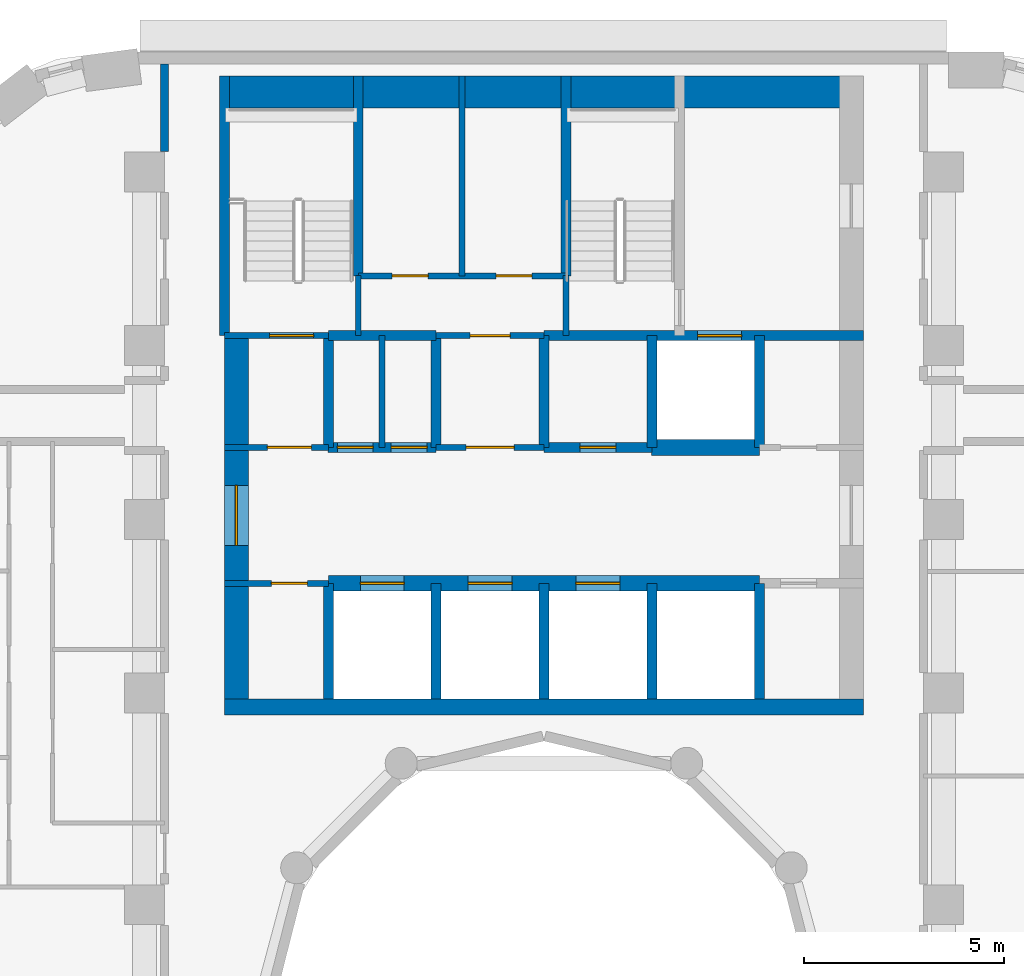
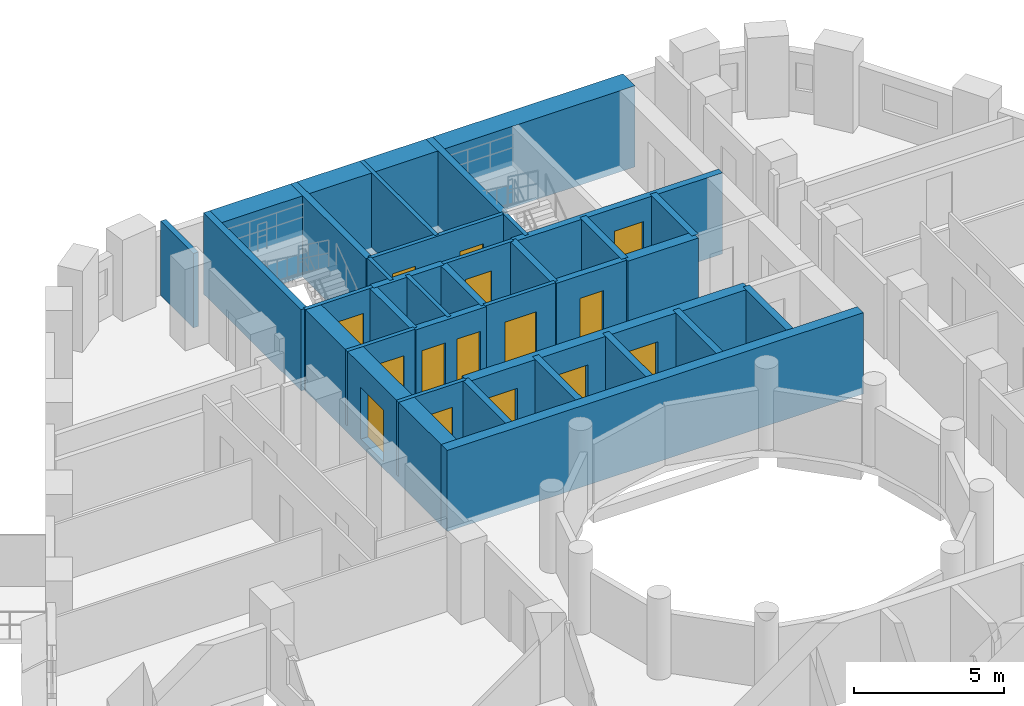
# One storey, part 7 of 14: 33 walls, 15 doors, 15 openings.
"""IFC4 building model written with IfcOpenShell, lengths in metres."""

import ifcopenshell
import ifcopenshell.guid

model = None  # the IFC model being written
_history = None  # IfcOwnerHistory: only IFC2X3 demands one
_inside = {}  # id of a spatial element -> (the spatial element, [elements in it])
_under = {}  # id of a project, library or spatial element -> (it, [spatial elements below it])
_declared = {}  # id of a project -> (the project, [libraries it declares])
_typed = {}  # id of a type object -> (the type object, [elements of that type])
_made_of = {}  # id of a material, layer set ... -> (it, [elements and type objects made of it])


def new_model(schema):
    """Start an empty IFC model of exactly this schema.

    Asked for "IFC4X3", IfcOpenShell would pick the latest addendum, in which some entities
    have other attributes; the version numbers below select the first issue.
    IFC2X3 requires an IfcOwnerHistory on every rooted entity: one is made here for all.
    """
    global model, _history
    if schema == "IFC4X3":
        model = ifcopenshell.file(schema_version=(4, 3, 0, 0))
    else:
        model = ifcopenshell.file(schema=schema)
    _inside.clear()
    _under.clear()
    _declared.clear()
    _typed.clear()
    _made_of.clear()
    _history = None
    if model.schema == "IFC2X3":
        org = make("IfcOrganization", Name="unknown")
        user = make(
            "IfcPersonAndOrganization",
            ThePerson=make("IfcPerson", FamilyName="unknown"),
            TheOrganization=org,
        )
        app = make(
            "IfcApplication",
            ApplicationDeveloper=org,
            Version="unknown",
            ApplicationFullName="unknown",
            ApplicationIdentifier="unknown",
        )
        _history = make(
            "IfcOwnerHistory",
            OwningUser=user,
            OwningApplication=app,
            ChangeAction="ADDED",
            CreationDate=0,
        )
    return model


def make(cls, **values):
    """One entity of the class cls with the attributes given. An attribute that is None is left unset."""
    return model.create_entity(
        cls, **{name: value for name, value in values.items() if value is not None}
    )


def rooted(cls, **values):
    """An entity with a GlobalId (a new one), such as an element, a storey or a relation."""
    return make(cls, GlobalId=ifcopenshell.guid.new(), OwnerHistory=_history, **values)


def si_unit(unit_type, name, prefix=None):
    """IfcSIUnit, for example si_unit("LENGTHUNIT", "METRE", prefix="MILLI")."""
    return make("IfcSIUnit", UnitType=unit_type, Prefix=prefix, Name=name)


def assignment(units):
    """IfcUnitAssignment: the units of a project."""
    return None if units is None else make("IfcUnitAssignment", Units=units)


def point(xyz):
    """IfcCartesianPoint."""
    return None if xyz is None else make("IfcCartesianPoint", Coordinates=xyz)


def direction(xyz):
    """IfcDirection."""
    return None if xyz is None else make("IfcDirection", DirectionRatios=xyz)


def frame(location, z_axis=None, x_axis=None):
    """IfcAxis2Placement3D, a coordinate frame: its origin and axes. An axis left out is left unset."""
    return make(
        "IfcAxis2Placement3D",
        Location=point(location),
        Axis=direction(z_axis),
        RefDirection=direction(x_axis),
    )


def frame_2d(location, x_axis=None):
    """IfcAxis2Placement2D, a coordinate frame in the plane: its origin and x axis."""
    return make(
        "IfcAxis2Placement2D", Location=point(location), RefDirection=direction(x_axis)
    )


def origin():
    """The frame at (0, 0, 0) with its axes left unset."""
    return frame((0.0, 0.0, 0.0))


def place(relative_to, where):
    """IfcLocalPlacement: puts the frame where relative to a parent placement (None: the world)."""
    return make(
        "IfcLocalPlacement", PlacementRelTo=relative_to, RelativePlacement=where
    )


def context(
    kind, dimensions, precision=None, world=None, true_north=None, identifier=None
):
    """IfcGeometricRepresentationContext, for example the 3D "Model" context."""
    return make(
        "IfcGeometricRepresentationContext",
        ContextIdentifier=identifier,
        ContextType=kind,
        CoordinateSpaceDimension=dimensions,
        Precision=precision,
        WorldCoordinateSystem=world,
        TrueNorth=true_north,
    )


def subcontext(parent, identifier, kind, view, scale=None):
    """IfcGeometricRepresentationSubContext, for example "Body" below "Model"."""
    return make(
        "IfcGeometricRepresentationSubContext",
        ContextIdentifier=identifier,
        ContextType=kind,
        ParentContext=parent,
        TargetScale=scale,
        TargetView=view,
    )


def project(units=None, contexts=None):
    """IfcProject with its units and contexts."""
    return rooted(
        "IfcProject",
        Name="project",
        RepresentationContexts=contexts,
        UnitsInContext=assignment(units),
    )


def spatial(cls, under=None, at=None, **own):
    """A site, building, storey or space (cls), placed at a placement, below another one or the project."""
    s = rooted(cls, ObjectPlacement=at, **own)
    if under is not None:
        _under.setdefault(under.id(), (under, []))[1].append(s)
    return s


def profile(cls, at=None, kind="AREA", **sizes):
    """A parametric profile (cls). Its sizes go by their IFC names, for example OverallWidth=200.0."""
    return make(cls, ProfileType=kind, Position=at, **sizes)


def rectangle(**sizes):
    """IfcRectangleProfileDef."""
    return profile("IfcRectangleProfileDef", **sizes)


def extrude(swept, where, along, depth):
    """IfcExtrudedAreaSolid: the profile swept, set in the frame where, extruded along a direction by depth."""
    return make(
        "IfcExtrudedAreaSolid",
        SweptArea=swept,
        Position=where,
        ExtrudedDirection=direction(along),
        Depth=depth,
    )


def shape(context_of_items, identifier, shape_type, items):
    """IfcShapeRepresentation: the items that make up one representation, for example the "Body"."""
    return make(
        "IfcShapeRepresentation",
        ContextOfItems=context_of_items,
        RepresentationIdentifier=identifier,
        RepresentationType=shape_type,
        Items=items,
    )


def material(Name=None, Category=None):
    """IfcMaterial."""
    return make("IfcMaterial", Name=Name, Category=Category)


def layer(
    of_material, thickness, ventilated=None, Name=None, Category=None, Priority=None
):
    """IfcMaterialLayer: one layer of a wall or slab, of a material (None: an air gap)."""
    return make(
        "IfcMaterialLayer",
        Material=of_material,
        LayerThickness=thickness,
        IsVentilated=ventilated,
        Name=Name,
        Category=Category,
        Priority=Priority,
    )


def layer_set(layers, Name=None):
    """IfcMaterialLayerSet."""
    return make("IfcMaterialLayerSet", MaterialLayers=layers, LayerSetName=Name)


def made_of(thing, what):
    """Note that an element or type object is made of a material, layer set ...; save() writes the relation."""
    if what is not None:
        _made_of.setdefault(what.id(), (what, []))[1].append(thing)
    return thing


def type_object(cls, material=None, **own):
    """A type object (cls), such as IfcWallType, which elements share."""
    return made_of(rooted(cls, **own), material)


def element(
    cls,
    number,
    at=None,
    inside=None,
    cuts=None,
    type_object=None,
    material=None,
    context=None,
    identifier="Body",
    shape_type=None,
    held_by="IfcProductDefinitionShape",
    body=None,
    shapes=None,
    **own,
):
    """One element of the class cls, such as IfcWall. Its Tag is "e" and its number.

    at: its placement. inside: the storey or other place that contains it. cuts: it is an
    opening in that element (IfcRelVoidsElement). A single representation is given by context,
    identifier, shape_type and body (its items); several are given by shapes. held_by: the class
    of the entity that holds the representations. save() writes the other relations.
    """
    e = rooted(cls, Tag="e%d" % number, ObjectPlacement=at, **own)
    if body is not None:
        shapes = [shape(context, identifier, shape_type, body)]
    if shapes is not None:
        e.Representation = make(held_by, Representations=shapes)
    if inside is not None:
        _inside.setdefault(inside.id(), (inside, []))[1].append(e)
    if cuts is not None:
        rooted(
            "IfcRelVoidsElement", RelatingBuildingElement=cuts, RelatedOpeningElement=e
        )
    if type_object is not None:
        _typed.setdefault(type_object.id(), (type_object, []))[1].append(e)
    return made_of(e, material)


def fill(opening, filler):
    """IfcRelFillsElement: the door or window that sits in an opening."""
    return rooted(
        "IfcRelFillsElement",
        RelatingOpeningElement=opening,
        RelatedBuildingElement=filler,
    )


def aggregate(whole, parts):
    """IfcRelAggregates: a whole, such as a stair, and the parts it consists of."""
    return rooted("IfcRelAggregates", RelatingObject=whole, RelatedObjects=parts)


def save(model, path):
    """Write the relations noted so far, then the file.

    IfcRelAggregates (storeys below a building ...), IfcRelContainedInSpatialStructure (elements
    in a storey), IfcRelDefinesByType, IfcRelAssociatesMaterial and IfcRelDeclares: one each for
    every whole, place, type object, material and project.
    """
    for whole, parts in _under.values():
        aggregate(whole, parts)
    for where, things in _inside.values():
        rooted(
            "IfcRelContainedInSpatialStructure",
            RelatedElements=things,
            RelatingStructure=where,
        )
    for kind, things in _typed.values():
        rooted("IfcRelDefinesByType", RelatedObjects=things, RelatingType=kind)
    for what, things in _made_of.values():
        rooted("IfcRelAssociatesMaterial", RelatedObjects=things, RelatingMaterial=what)
    for by, libraries in _declared.values():
        rooted("IfcRelDeclares", RelatingContext=by, RelatedDefinitions=libraries)
    model.write(path)


model = new_model("IFC4")

# Units and contexts
model_context = context("Model", 3, precision=1e-05, world=origin(), true_north=direction((0.0, 1.0)))
body_context = subcontext(model_context, "Body", "Model", "MODEL_VIEW")
ifc_project = project(units=[si_unit("LENGTHUNIT", "METRE"), si_unit("AREAUNIT", "SQUARE_METRE"), si_unit("VOLUMEUNIT", "CUBIC_METRE"), si_unit("PLANEANGLEUNIT", "RADIAN"), si_unit("MASSUNIT", "GRAM", prefix="KILO")], contexts=[model_context])

# Site, building, storey
site_placement = place(None, origin())
site = spatial("IfcSite", under=ifc_project, at=site_placement, CompositionType="ELEMENT")
building_placement = place(site_placement, origin())
building = spatial("IfcBuilding", under=site, at=building_placement, Name="Nakaniwa Court", CompositionType="ELEMENT")
storey_placement = place(building_placement, frame((0.0, 0.0, 114.0)))
storey = spatial("IfcBuildingStorey", under=building, at=storey_placement, Name="L30", CompositionType="ELEMENT", Elevation=114.0)

# Wall
ifc_material_1 = material(Name="Acoustic double stud partition")
ifc_layer_1 = layer(ifc_material_1, 0.199951171875)
ifc_layer_set_1 = layer_set([ifc_layer_1], Name="Acoustic double stud partition")
wall_type_1 = type_object("IfcWallType", Name="Acoustic double stud partition 200", PredefinedType="PARTITIONING", material=ifc_layer_set_1)
wall_1_placement = place(storey_placement, frame((70.5, 101.51708984375, 0.0), z_axis=(0.0, 0.0, 1.0), x_axis=(0.0, 1.0, 0.0)))
element("IfcWall", 1, at=wall_1_placement, inside=storey, type_object=wall_type_1, Name="Partition PW-110", PredefinedType="PARTITIONING", context=body_context, shape_type="SweptSolid", body=[
    extrude(rectangle(XDim=2.182861328125, YDim=0.199951171875, at=frame_2d((1.09130859375, 0.0))), origin(), (0.0, 0.0, 1.0), 3.02490234375),
])

# Wall, opening, door
ifc_material_2 = material(Name="Blockwork partition", Category="masonry")
ifc_layer_2 = layer(ifc_material_2, 0.14990234375)
ifc_layer_set_2 = layer_set([ifc_layer_2], Name="Blockwork partition")
wall_type_2 = type_object("IfcWallType", Name="Blockwork partition 150", PredefinedType="PARTITIONING", material=ifc_layer_set_2)
wall_2_placement = place(storey_placement, frame((74.60009765625, 90.699951171875, 0.0), z_axis=(0.0, 0.0, 1.0), x_axis=(-1.0, 0.0, 0.0)))
wall_2 = element("IfcWall", 2, at=wall_2_placement, inside=storey, type_object=wall_type_2, Name="Partition PW-003", PredefinedType="PARTITIONING", context=body_context, shape_type="SweptSolid", body=[
    extrude(rectangle(XDim=2.60009765625, YDim=0.14990234375, at=frame_2d((1.300048828125, 0.0))), origin(), (0.0, 0.0, 1.0), 3.02490234375),
])
opening_1_placement = place(wall_2_placement, frame((0.52490234375, 0.0, 0.0)))
opening_1 = element("IfcOpeningElement", 3, at=opening_1_placement, cuts=wall_2, Name="Opening D-05-01", PredefinedType="OPENING", context=body_context, shape_type="SweptSolid", body=[
    extrude(rectangle(XDim=0.89990234375, YDim=2.10009765625, at=frame_2d((0.449951171875, 1.050048828125))), frame((0.0, 0.0849609375, 0.0), z_axis=(0.0, -1.0, 0.0), x_axis=(1.0, 0.0, 0.0)), (0.0, 0.0, 1.0), 0.169921875),
])
ifc_material_3 = material(Name="Fire rated steel door set", Category="steel")
door_type_1 = type_object("IfcDoorType", Name="Service room door 900", OperationType="NOTDEFINED", PredefinedType="DOOR", material=ifc_material_3)
door_1_placement = place(opening_1_placement, origin())
door_1 = element("IfcDoor", 4, at=door_1_placement, inside=storey, type_object=door_type_1, Name="Door D-05-01 L30-001", OperationType="SINGLE_SWING_RIGHT", OverallHeight=2.10009765625, OverallWidth=0.89990234375, PredefinedType="DOOR", context=body_context, shape_type="SweptSolid", body=[
    extrude(rectangle(XDim=0.89990234375, YDim=2.10009765625, at=frame_2d((0.449951171875, 1.050048828125))), frame((0.0, 0.02490234375, 0.0), z_axis=(0.0, -1.0, 0.0), x_axis=(1.0, 0.0, 0.0)), (0.0, 0.0, 1.0), 0.050048828125),
])
fill(opening_1, door_1)

wall_3_placement = place(storey_placement, frame((72.0, 94.10009765625, 0.0), z_axis=(0.0, 0.0, 1.0), x_axis=(1.0, 0.0, 0.0)))
wall_3 = element("IfcWall", 5, at=wall_3_placement, inside=storey, type_object=wall_type_2, Name="Partition PW-016", PredefinedType="PARTITIONING", context=body_context, shape_type="SweptSolid", body=[
    extrude(rectangle(XDim=2.60302734375, YDim=0.14990234375, at=frame_2d((1.301513671875, 0.0))), origin(), (0.0, 0.0, 1.0), 3.02490234375),
])
opening_2_placement = place(wall_3_placement, frame((1.074951171875, 0.0, 0.0)))
opening_2 = element("IfcOpeningElement", 6, at=opening_2_placement, cuts=wall_3, Name="Opening D-08-01", PredefinedType="OPENING", context=body_context, shape_type="SweptSolid", body=[
    extrude(rectangle(XDim=1.10009765625, YDim=2.10009765625, at=frame_2d((0.550048828125, 1.050048828125))), frame((0.0, 0.0849609375, 0.0), z_axis=(0.0, -1.0, 0.0), x_axis=(1.0, 0.0, 0.0)), (0.0, 0.0, 1.0), 0.169921875),
])
door_type_2 = type_object("IfcDoorType", Name="Stair lobby door 1100", OperationType="NOTDEFINED", PredefinedType="DOOR", material=ifc_material_3)
door_2_placement = place(opening_2_placement, origin())
door_2 = element("IfcDoor", 7, at=door_2_placement, inside=storey, type_object=door_type_2, Name="Door D-08-01 L30-003", OperationType="SINGLE_SWING_RIGHT", OverallHeight=2.10009765625, OverallWidth=1.10009765625, PredefinedType="DOOR", context=body_context, shape_type="SweptSolid", body=[
    extrude(rectangle(XDim=1.10009765625, YDim=2.10009765625, at=frame_2d((0.550048828125, 1.050048828125))), frame((0.0, 0.02490234375, 0.0), z_axis=(0.0, -1.0, 0.0), x_axis=(1.0, 0.0, 0.0)), (0.0, 0.0, 1.0), 0.050048828125),
])
fill(opening_2, door_2)

wall_4_placement = place(storey_placement, frame((77.297119140625, 94.10009765625, 0.0), z_axis=(0.0, 0.0, 1.0), x_axis=(1.0, 0.0, 0.0)))
wall_4 = element("IfcWall", 8, at=wall_4_placement, inside=storey, type_object=wall_type_2, Name="Partition PW-017", PredefinedType="PARTITIONING", context=body_context, shape_type="SweptSolid", body=[
    extrude(rectangle(XDim=2.705810546875, YDim=0.14990234375, at=frame_2d((1.35302734375, 0.0))), origin(), (0.0, 0.0, 1.0), 3.02490234375),
])
opening_3_placement = place(wall_4_placement, frame((0.7529296875, 0.0, 0.0)))
opening_3 = element("IfcOpeningElement", 9, at=opening_3_placement, cuts=wall_4, Name="Opening D-06-01", PredefinedType="OPENING", context=body_context, shape_type="SweptSolid", body=[
    extrude(rectangle(XDim=1.199951171875, YDim=2.10009765625, at=frame_2d((0.60009765625, 1.050048828125))), frame((0.0, 0.0849609375, 0.0), z_axis=(0.0, -1.0, 0.0), x_axis=(1.0, 0.0, 0.0)), (0.0, 0.0, 1.0), 0.169921875),
])
ifc_material_4 = material(Name="Fire rated steel double door set", Category="steel")
door_type_3 = type_object("IfcDoorType", Name="Service passage double door 1200", OperationType="NOTDEFINED", PredefinedType="DOOR", material=ifc_material_4)
door_3_placement = place(opening_3_placement, origin())
door_3 = element("IfcDoor", 10, at=door_3_placement, inside=storey, type_object=door_type_3, Name="Door D-06-01 L30-006", OperationType="DOUBLE_DOOR_SINGLE_SWING", OverallHeight=2.10009765625, OverallWidth=1.199951171875, PredefinedType="DOOR", context=body_context, shape_type="SweptSolid", body=[
    extrude(rectangle(XDim=1.199951171875, YDim=2.10009765625, at=frame_2d((0.60009765625, 1.050048828125))), frame((0.0, 0.02490234375, 0.0), z_axis=(0.0, -1.0, 0.0), x_axis=(1.0, 0.0, 0.0)), (0.0, 0.0, 1.0), 0.050048828125),
])
fill(opening_3, door_3)

# Wall
wall_5_placement = place(storey_placement, frame((75.949951171875, 94.10009765625, 0.0), z_axis=(0.0, 0.0, 1.0), x_axis=(0.0, 1.0, 0.0)))
element("IfcWall", 11, at=wall_5_placement, inside=storey, type_object=wall_type_2, Name="Partition PW-023", PredefinedType="PARTITIONING", context=body_context, shape_type="SweptSolid", body=[
    extrude(rectangle(XDim=2.7998046875, YDim=0.14990234375, at=frame_2d((1.39990234375, 0.0))), origin(), (0.0, 0.0, 1.0), 3.02490234375),
])

# Wall, opening, door
wall_6_placement = place(storey_placement, frame((77.300048828125, 96.89990234375, 0.0), z_axis=(0.0, 0.0, 1.0), x_axis=(1.0, 0.0, 0.0)))
wall_6 = element("IfcWall", 12, at=wall_6_placement, inside=storey, type_object=wall_type_2, Name="Partition PW-026", PredefinedType="PARTITIONING", context=body_context, shape_type="SweptSolid", body=[
    extrude(rectangle(XDim=2.699951171875, YDim=0.14990234375, at=frame_2d((1.35009765625, 0.0))), origin(), (0.0, 0.0, 1.0), 3.02490234375),
])
opening_4_placement = place(wall_6_placement, frame((0.85009765625, 0.0, 0.0)))
opening_4 = element("IfcOpeningElement", 13, at=opening_4_placement, cuts=wall_6, Name="Opening D-23-01", PredefinedType="OPENING", context=body_context, shape_type="SweptSolid", body=[
    extrude(rectangle(XDim=1.0, YDim=2.10009765625, at=frame_2d((0.5, 1.050048828125))), frame((0.0, 0.0849609375, 0.0), z_axis=(0.0, -1.0, 0.0), x_axis=(1.0, 0.0, 0.0)), (0.0, 0.0, 1.0), 0.169921875),
])
door_type_4 = type_object("IfcDoorType", Name="Service room door 1000", OperationType="NOTDEFINED", PredefinedType="DOOR", material=ifc_material_3)
door_4_placement = place(opening_4_placement, origin())
door_4 = element("IfcDoor", 14, at=door_4_placement, inside=storey, type_object=door_type_4, Name="Door D-23-01 L30-009", OperationType="SINGLE_SWING_RIGHT", OverallHeight=2.10009765625, OverallWidth=1.0, PredefinedType="DOOR", context=body_context, shape_type="SweptSolid", body=[
    extrude(rectangle(XDim=1.0, YDim=2.10009765625, at=frame_2d((0.5, 1.050048828125))), frame((0.0, 0.02490234375, 0.0), z_axis=(0.0, -1.0, 0.0), x_axis=(1.0, 0.0, 0.0)), (0.0, 0.0, 1.0), 0.050048828125),
])
fill(opening_4, door_4)

# Wall, openings, doors
wall_7_placement = place(storey_placement, frame((75.35009765625, 98.39990234375, 0.0), z_axis=(0.0, 0.0, 1.0), x_axis=(1.0, 0.0, 0.0)))
wall_7 = element("IfcWall", 15, at=wall_7_placement, inside=storey, type_object=wall_type_2, Name="Partition PW-033", PredefinedType="PARTITIONING", context=body_context, shape_type="SweptSolid", body=[
    extrude(rectangle(XDim=5.199951171875, YDim=0.14990234375, at=frame_2d((2.60009765625, 0.0))), origin(), (0.0, 0.0, 1.0), 3.02490234375),
])
opening_5_placement = place(wall_7_placement, frame((0.85009765625, 0.0, 0.0)))
opening_5 = element("IfcOpeningElement", 16, at=opening_5_placement, cuts=wall_7, Name="Opening D-05-07", PredefinedType="OPENING", context=body_context, shape_type="SweptSolid", body=[
    extrude(rectangle(XDim=0.89990234375, YDim=2.10009765625, at=frame_2d((0.449951171875, 1.050048828125))), frame((0.0, 0.0849609375, 0.0), z_axis=(0.0, -1.0, 0.0), x_axis=(1.0, 0.0, 0.0)), (0.0, 0.0, 1.0), 0.169921875),
])
opening_6_placement = place(wall_7_placement, frame((3.449951171875, 0.0, 0.0)))
opening_6 = element("IfcOpeningElement", 17, at=opening_6_placement, cuts=wall_7, Name="Opening D-05-08", PredefinedType="OPENING", context=body_context, shape_type="SweptSolid", body=[
    extrude(rectangle(XDim=0.89990234375, YDim=2.10009765625, at=frame_2d((0.449951171875, 1.050048828125))), frame((0.0, 0.0849609375, 0.0), z_axis=(0.0, -1.0, 0.0), x_axis=(1.0, 0.0, 0.0)), (0.0, 0.0, 1.0), 0.169921875),
])
door_5_placement = place(opening_5_placement, origin())
door_5 = element("IfcDoor", 18, at=door_5_placement, inside=storey, type_object=door_type_1, Name="Door D-05-07 L30-010", OperationType="SINGLE_SWING_LEFT", OverallHeight=2.10009765625, OverallWidth=0.89990234375, PredefinedType="DOOR", context=body_context, shape_type="SweptSolid", body=[
    extrude(rectangle(XDim=0.89990234375, YDim=2.10009765625, at=frame_2d((0.449951171875, 1.050048828125))), frame((0.0, 0.02490234375, 0.0), z_axis=(0.0, -1.0, 0.0), x_axis=(1.0, 0.0, 0.0)), (0.0, 0.0, 1.0), 0.050048828125),
])
fill(opening_5, door_5)
door_6_placement = place(opening_6_placement, origin())
door_6 = element("IfcDoor", 19, at=door_6_placement, inside=storey, type_object=door_type_1, Name="Door D-05-08 L30-011", OperationType="SINGLE_SWING_RIGHT", OverallHeight=2.10009765625, OverallWidth=0.89990234375, PredefinedType="DOOR", context=body_context, shape_type="SweptSolid", body=[
    extrude(rectangle(XDim=0.89990234375, YDim=2.10009765625, at=frame_2d((0.449951171875, 1.050048828125))), frame((0.0, 0.02490234375, 0.0), z_axis=(0.0, -1.0, 0.0), x_axis=(1.0, 0.0, 0.0)), (0.0, 0.0, 1.0), 0.050048828125),
])
fill(opening_6, door_6)

# Wall
wall_8_placement = place(storey_placement, frame((77.949951171875, 98.39990234375, 0.0), z_axis=(0.0, 0.0, 1.0), x_axis=(0.0, 1.0, 0.0)))
element("IfcWall", 20, at=wall_8_placement, inside=storey, type_object=wall_type_2, Name="Partition PW-034", PredefinedType="PARTITIONING", context=body_context, shape_type="SweptSolid", body=[
    extrude(rectangle(XDim=5.0, YDim=0.14990234375, at=frame_2d((2.5, 0.0))), origin(), (0.0, 0.0, 1.0), 3.02490234375),
])

# Wall, opening, door
ifc_material_5 = material(Name="Concrete C80/100", Category="concrete")
ifc_layer_3 = layer(ifc_material_5, 0.60009765625)
ifc_layer_set_3 = layer_set([ifc_layer_3], Name="Concrete C80/100")
wall_type_3 = type_object("IfcWallType", Name="Concrete core side wall 600 C80", PredefinedType="SHEAR", material=ifc_layer_set_3)
wall_9_placement = place(storey_placement, frame((72.300048828125, 87.800048828125, -0.27490234375), z_axis=(0.0, 0.0, 1.0), x_axis=(0.0, 1.0, 0.0)))
wall_9 = element("IfcWall", 21, at=wall_9_placement, inside=storey, type_object=wall_type_3, Name="Core wall SW-04", PredefinedType="SHEAR", context=body_context, shape_type="SweptSolid", body=[
    extrude(rectangle(XDim=9.099853515625, YDim=0.60009765625, at=frame_2d((4.5498046875, 0.0))), origin(), (0.0, 0.0, 1.0), 3.2998046875),
])
opening_7_placement = place(wall_9_placement, frame((3.85009765625, 0.0, 0.27490234375)))
opening_7 = element("IfcOpeningElement", 22, at=opening_7_placement, cuts=wall_9, Name="Opening D-07-02", PredefinedType="OPENING", context=body_context, shape_type="SweptSolid", body=[
    extrude(rectangle(XDim=1.5, YDim=2.10009765625, at=frame_2d((0.75, 1.050048828125))), frame((0.0, 0.31005859375, 0.0), z_axis=(0.0, -1.0, 0.0), x_axis=(1.0, 0.0, 0.0)), (0.0, 0.0, 1.0), 0.6201171875),
])
ifc_material_6 = material(Name="Glazed fire rated steel double door set", Category="steel")
door_type_5 = type_object("IfcDoorType", Name="Lobby double door 1500", OperationType="NOTDEFINED", PredefinedType="DOOR", material=ifc_material_6)
door_7_placement = place(opening_7_placement, origin())
door_7 = element("IfcDoor", 23, at=door_7_placement, inside=storey, type_object=door_type_5, Name="Door D-07-02 L30-048", OperationType="DOUBLE_DOOR_SINGLE_SWING", OverallHeight=2.10009765625, OverallWidth=1.5, PredefinedType="DOOR", context=body_context, shape_type="SweptSolid", body=[
    extrude(rectangle(XDim=1.5, YDim=2.10009765625, at=frame_2d((0.75, 1.050048828125))), frame((0.0, 0.02490234375, 0.0), z_axis=(0.0, -1.0, 0.0), x_axis=(1.0, 0.0, 0.0)), (0.0, 0.0, 1.0), 0.050048828125),
])
fill(opening_7, door_7)

# Wall, openings, doors
ifc_layer_4 = layer(ifc_material_5, 0.39990234375)
ifc_layer_set_4 = layer_set([ifc_layer_4], Name="Concrete C80/100")
wall_type_4 = type_object("IfcWallType", Name="Concrete core spine wall 400 C80", PredefinedType="SHEAR", material=ifc_layer_set_4)
wall_10_placement = place(storey_placement, frame((74.60009765625, 90.699951171875, -0.27490234375), z_axis=(0.0, 0.0, 1.0), x_axis=(1.0, 0.0, 0.0)))
wall_10 = element("IfcWall", 24, at=wall_10_placement, inside=storey, type_object=wall_type_4, Name="Core wall SW-07", PredefinedType="SHEAR", context=body_context, shape_type="SweptSolid", body=[
    extrude(rectangle(XDim=10.7998046875, YDim=0.39990234375, at=frame_2d((5.39990234375, 0.0))), origin(), (0.0, 0.0, 1.0), 3.2998046875),
])
opening_8_placement = place(wall_10_placement, frame((0.800048828125, 0.0, 0.27490234375)))
opening_8 = element("IfcOpeningElement", 25, at=opening_8_placement, cuts=wall_10, Name="Opening LD01", PredefinedType="OPENING", context=body_context, shape_type="SweptSolid", body=[
    extrude(rectangle(XDim=1.10009765625, YDim=2.10009765625, at=frame_2d((0.550048828125, 1.050048828125))), frame((0.0, 0.2099609375, 0.0), z_axis=(0.0, -1.0, 0.0), x_axis=(1.0, 0.0, 0.0)), (0.0, 0.0, 1.0), 0.419921875),
])
opening_9_placement = place(wall_10_placement, frame((3.5, 0.0, 0.27490234375)))
opening_9 = element("IfcOpeningElement", 26, at=opening_9_placement, cuts=wall_10, Name="Opening LD02", PredefinedType="OPENING", context=body_context, shape_type="SweptSolid", body=[
    extrude(rectangle(XDim=1.10009765625, YDim=2.10009765625, at=frame_2d((0.550048828125, 1.050048828125))), frame((0.0, 0.2099609375, 0.0), z_axis=(0.0, -1.0, 0.0), x_axis=(1.0, 0.0, 0.0)), (0.0, 0.0, 1.0), 0.419921875),
])
opening_10_placement = place(wall_10_placement, frame((6.199951171875, 0.0, 0.27490234375)))
opening_10 = element("IfcOpeningElement", 27, at=opening_10_placement, cuts=wall_10, Name="Opening LD03", PredefinedType="OPENING", context=body_context, shape_type="SweptSolid", body=[
    extrude(rectangle(XDim=1.10009765625, YDim=2.10009765625, at=frame_2d((0.550048828125, 1.050048828125))), frame((0.0, 0.2099609375, 0.0), z_axis=(0.0, -1.0, 0.0), x_axis=(1.0, 0.0, 0.0)), (0.0, 0.0, 1.0), 0.419921875),
])
ifc_material_7 = material(Name="Stainless steel sliding lift landing door", Category="steel")
door_type_6 = type_object("IfcDoorType", Name="Lift landing door 1100", OperationType="NOTDEFINED", PredefinedType="DOOR", material=ifc_material_7)
door_8_placement = place(opening_8_placement, origin())
door_8 = element("IfcDoor", 28, at=door_8_placement, inside=storey, type_object=door_type_6, Name="Lift landing door LD01 L30-001", OperationType="SLIDING_TO_LEFT", OverallHeight=2.10009765625, OverallWidth=1.10009765625, PredefinedType="DOOR", context=body_context, shape_type="SweptSolid", body=[
    extrude(rectangle(XDim=1.10009765625, YDim=2.10009765625, at=frame_2d((0.550048828125, 1.050048828125))), frame((0.0, 0.02490234375, 0.0), z_axis=(0.0, -1.0, 0.0), x_axis=(1.0, 0.0, 0.0)), (0.0, 0.0, 1.0), 0.050048828125),
])
fill(opening_8, door_8)
door_9_placement = place(opening_9_placement, origin())
door_9 = element("IfcDoor", 29, at=door_9_placement, inside=storey, type_object=door_type_6, Name="Lift landing door LD02 L30-002", OperationType="SLIDING_TO_LEFT", OverallHeight=2.10009765625, OverallWidth=1.10009765625, PredefinedType="DOOR", context=body_context, shape_type="SweptSolid", body=[
    extrude(rectangle(XDim=1.10009765625, YDim=2.10009765625, at=frame_2d((0.550048828125, 1.050048828125))), frame((0.0, 0.02490234375, 0.0), z_axis=(0.0, -1.0, 0.0), x_axis=(1.0, 0.0, 0.0)), (0.0, 0.0, 1.0), 0.050048828125),
])
fill(opening_9, door_9)
door_10_placement = place(opening_10_placement, origin())
door_10 = element("IfcDoor", 30, at=door_10_placement, inside=storey, type_object=door_type_6, Name="Lift landing door LD03 L30-003", OperationType="SLIDING_TO_LEFT", OverallHeight=2.10009765625, OverallWidth=1.10009765625, PredefinedType="DOOR", context=body_context, shape_type="SweptSolid", body=[
    extrude(rectangle(XDim=1.10009765625, YDim=2.10009765625, at=frame_2d((0.550048828125, 1.050048828125))), frame((0.0, 0.02490234375, 0.0), z_axis=(0.0, -1.0, 0.0), x_axis=(1.0, 0.0, 0.0)), (0.0, 0.0, 1.0), 0.050048828125),
])
fill(opening_10, door_10)

# Wall
wall_11_placement = place(storey_placement, frame((82.697021484375, 94.10009765625, -0.27490234375), z_axis=(0.0, 0.0, 1.0), x_axis=(1.0, 0.0, 0.0)))
element("IfcWall", 31, at=wall_11_placement, inside=storey, type_object=wall_type_4, Name="Core wall SW-21", PredefinedType="SHEAR", context=body_context, shape_type="SweptSolid", body=[
    extrude(rectangle(XDim=2.7060546875, YDim=0.39990234375, at=frame_2d((1.35302734375, 0.0))), origin(), (0.0, 0.0, 1.0), 3.2998046875),
])

# Wall, opening, door
ifc_layer_5 = layer(ifc_material_5, 0.14990234375)
ifc_layer_set_5 = layer_set([ifc_layer_5], Name="Concrete C80/100")
wall_type_5 = type_object("IfcWallType", Name="Concrete core wall 150 C80", PredefinedType="SHEAR", material=ifc_layer_set_5)
wall_12_placement = place(storey_placement, frame((74.60009765625, 96.89990234375, -0.27490234375), z_axis=(0.0, 0.0, 1.0), x_axis=(-1.0, 0.0, 0.0)))
wall_12 = element("IfcWall", 32, at=wall_12_placement, inside=storey, type_object=wall_type_5, Name="Core wall SW-22", PredefinedType="SHEAR", context=body_context, shape_type="SweptSolid", body=[
    extrude(rectangle(XDim=2.60009765625, YDim=0.14990234375, at=frame_2d((1.300048828125, 0.0))), origin(), (0.0, 0.0, 1.0), 3.2998046875),
])
opening_11_placement = place(wall_12_placement, frame((0.3701171875, 0.0, 0.27490234375)))
opening_11 = element("IfcOpeningElement", 33, at=opening_11_placement, cuts=wall_12, Name="Opening D-09-01", PredefinedType="OPENING", context=body_context, shape_type="SweptSolid", body=[
    extrude(rectangle(XDim=1.10009765625, YDim=2.10009765625, at=frame_2d((0.550048828125, 1.050048828125))), frame((0.0, 0.0849609375, 0.0), z_axis=(0.0, -1.0, 0.0), x_axis=(1.0, 0.0, 0.0)), (0.0, 0.0, 1.0), 0.169921875),
])
door_type_7 = type_object("IfcDoorType", Name="Stair door 1100", OperationType="NOTDEFINED", PredefinedType="DOOR", material=ifc_material_3)
door_11_placement = place(opening_11_placement, origin())
door_11 = element("IfcDoor", 34, at=door_11_placement, inside=storey, type_object=door_type_7, Name="Door D-09-01 L30-012", OperationType="SINGLE_SWING_RIGHT", OverallHeight=2.10009765625, OverallWidth=1.10009765625, PredefinedType="DOOR", context=body_context, shape_type="SweptSolid", body=[
    extrude(rectangle(XDim=1.10009765625, YDim=2.10009765625, at=frame_2d((0.550048828125, 1.050048828125))), frame((0.0, 0.02490234375, 0.0), z_axis=(0.0, -1.0, 0.0), x_axis=(1.0, 0.0, 0.0)), (0.0, 0.0, 1.0), 0.050048828125),
])
fill(opening_11, door_11)

# Walls
for number, where, z_axis, x_axis, name in (
    (35, (75.35009765625, 96.89990234375, -0.27490234375), (0.0, 0.0, 1.0), (0.0, 1.0, 0.0), "Core wall SW-27"),
    (36, (80.550048828125, 96.89990234375, -0.27490234375), (0.0, 0.0, 1.0), (0.0, 1.0, 0.0), "Core wall SW-31"),
):
    element("IfcWall", number, at=place(storey_placement, frame(where, z_axis=z_axis, x_axis=x_axis)), inside=storey, type_object=wall_type_5, Name=name, PredefinedType="SHEAR", context=body_context, shape_type="SweptSolid", body=[
        extrude(rectangle(XDim=1.503173828125, YDim=0.14990234375, at=frame_2d((0.75146484375, 0.0))), origin(), (0.0, 0.0, 1.0), 3.2998046875),
    ])
ifc_layer_6 = layer(ifc_material_5, 0.25)
ifc_layer_set_6 = layer_set([ifc_layer_6], Name="Concrete C80/100")
wall_type_6 = type_object("IfcWallType", Name="Concrete core wall 250 C80", PredefinedType="SHEAR", material=ifc_layer_set_6)
wall_13_placement = place(storey_placement, frame((72.0, 96.89990234375, -0.27490234375), z_axis=(0.0, 0.0, 1.0), x_axis=(0.0, 1.0, 0.0)))
element("IfcWall", 37, at=wall_13_placement, inside=storey, type_object=wall_type_6, Name="Core wall SW-29", PredefinedType="SHEAR", context=body_context, shape_type="SweptSolid", body=[
    extrude(rectangle(XDim=6.5, YDim=0.25, at=frame_2d((3.25, 0.0))), origin(), (0.0, 0.0, 1.0), 3.2998046875),
])
ifc_layer_7 = layer(ifc_material_5, 0.800048828125)
ifc_layer_set_7 = layer_set([ifc_layer_7], Name="Concrete C80/100")
wall_type_7 = type_object("IfcWallType", Name="Concrete core wall 800 C80", PredefinedType="SHEAR", material=ifc_layer_set_7)
wall_14_placement = place(storey_placement, frame((72.00390625, 103.0, -0.27490234375), z_axis=(0.0, 0.0, 1.0), x_axis=(1.0, 0.0, 0.0)))
element("IfcWall", 38, at=wall_14_placement, inside=storey, type_object=wall_type_7, Name="Core wall SW-128", PredefinedType="SHEAR", context=body_context, shape_type="SweptSolid", body=[
    extrude(rectangle(XDim=15.9921875, YDim=0.800048828125, at=frame_2d((7.99609375, 0.0))), origin(), (0.0, 0.0, 1.0), 3.2998046875),
])
ifc_layer_8 = layer(ifc_material_5, 0.39990234375)
ifc_layer_set_8 = layer_set([ifc_layer_8], Name="Concrete C80/100")
wall_type_8 = type_object("IfcWallType", Name="Concrete core well wall 400 C80", PredefinedType="SHEAR", material=ifc_layer_set_8)
wall_15_placement = place(storey_placement, frame((72.00390625, 87.60009765625, -0.27490234375), z_axis=(0.0, 0.0, 1.0), x_axis=(1.0, 0.0, 0.0)))
element("IfcWall", 39, at=wall_15_placement, inside=storey, type_object=wall_type_8, Name="Core wall SW-127", PredefinedType="SHEAR", context=body_context, shape_type="SweptSolid", body=[
    extrude(rectangle(XDim=15.9921875, YDim=0.39990234375, at=frame_2d((7.99609375, 0.0))), origin(), (0.0, 0.0, 1.0), 3.2998046875),
])
ifc_layer_9 = layer(ifc_material_5, 0.25)
ifc_layer_set_9 = layer_set([ifc_layer_9], Name="Concrete C80/100")
wall_type_9 = type_object("IfcWallType", Name="Concrete shaft wall 250 C80", PredefinedType="SHEAR", material=ifc_layer_set_9)
wall_16_placement = place(storey_placement, frame((74.60009765625, 87.800048828125, -0.27490234375), z_axis=(0.0, 0.0, 1.0), x_axis=(0.0, 1.0, 0.0)))
element("IfcWall", 40, at=wall_16_placement, inside=storey, type_object=wall_type_9, Name="Core wall SW-01", PredefinedType="SHEAR", context=body_context, shape_type="SweptSolid", body=[
    extrude(rectangle(XDim=2.89990234375, YDim=0.25, at=frame_2d((1.449951171875, 0.0))), origin(), (0.0, 0.0, 1.0), 3.2998046875),
])
wall_17_placement = place(storey_placement, frame((74.60009765625, 94.10009765625, -0.27490234375), z_axis=(0.0, 0.0, 1.0), x_axis=(0.0, 1.0, 0.0)))
element("IfcWall", 41, at=wall_17_placement, inside=storey, type_object=wall_type_9, Name="Core wall SW-02", PredefinedType="SHEAR", context=body_context, shape_type="SweptSolid", body=[
    extrude(rectangle(XDim=2.7998046875, YDim=0.25, at=frame_2d((1.39990234375, 0.0))), origin(), (0.0, 0.0, 1.0), 3.2998046875),
])
wall_18_placement = place(storey_placement, frame((77.300048828125, 87.800048828125, -0.27490234375), z_axis=(0.0, 0.0, 1.0), x_axis=(0.0, 1.0, 0.0)))
element("IfcWall", 42, at=wall_18_placement, inside=storey, type_object=wall_type_9, Name="Core wall SW-05", PredefinedType="SHEAR", context=body_context, shape_type="SweptSolid", body=[
    extrude(rectangle(XDim=2.89990234375, YDim=0.25, at=frame_2d((1.449951171875, 0.0))), origin(), (0.0, 0.0, 1.0), 3.2998046875),
])
wall_19_placement = place(storey_placement, frame((77.300048828125, 94.10009765625, -0.27490234375), z_axis=(0.0, 0.0, 1.0), x_axis=(0.0, 1.0, 0.0)))
element("IfcWall", 43, at=wall_19_placement, inside=storey, type_object=wall_type_9, Name="Core wall SW-06", PredefinedType="SHEAR", context=body_context, shape_type="SweptSolid", body=[
    extrude(rectangle(XDim=2.7998046875, YDim=0.25, at=frame_2d((1.39990234375, 0.0))), origin(), (0.0, 0.0, 1.0), 3.2998046875),
])
wall_20_placement = place(storey_placement, frame((80.0, 87.800048828125, -0.27490234375), z_axis=(0.0, 0.0, 1.0), x_axis=(0.0, 1.0, 0.0)))
element("IfcWall", 44, at=wall_20_placement, inside=storey, type_object=wall_type_9, Name="Core wall SW-08", PredefinedType="SHEAR", context=body_context, shape_type="SweptSolid", body=[
    extrude(rectangle(XDim=2.89990234375, YDim=0.25, at=frame_2d((1.449951171875, 0.0))), origin(), (0.0, 0.0, 1.0), 3.2998046875),
])
wall_21_placement = place(storey_placement, frame((80.0, 94.10009765625, -0.27490234375), z_axis=(0.0, 0.0, 1.0), x_axis=(0.0, 1.0, 0.0)))
element("IfcWall", 45, at=wall_21_placement, inside=storey, type_object=wall_type_9, Name="Core wall SW-09", PredefinedType="SHEAR", context=body_context, shape_type="SweptSolid", body=[
    extrude(rectangle(XDim=2.7998046875, YDim=0.25, at=frame_2d((1.39990234375, 0.0))), origin(), (0.0, 0.0, 1.0), 3.2998046875),
])
wall_22_placement = place(storey_placement, frame((82.699951171875, 87.800048828125, -0.27490234375), z_axis=(0.0, 0.0, 1.0), x_axis=(0.0, 1.0, 0.0)))
element("IfcWall", 46, at=wall_22_placement, inside=storey, type_object=wall_type_9, Name="Core wall SW-10", PredefinedType="SHEAR", context=body_context, shape_type="SweptSolid", body=[
    extrude(rectangle(XDim=2.89990234375, YDim=0.25, at=frame_2d((1.449951171875, 0.0))), origin(), (0.0, 0.0, 1.0), 3.2998046875),
])
wall_23_placement = place(storey_placement, frame((82.699951171875, 94.10009765625, -0.27490234375), z_axis=(0.0, 0.0, 1.0), x_axis=(0.0, 1.0, 0.0)))
element("IfcWall", 47, at=wall_23_placement, inside=storey, type_object=wall_type_9, Name="Core wall SW-11", PredefinedType="SHEAR", context=body_context, shape_type="SweptSolid", body=[
    extrude(rectangle(XDim=2.7998046875, YDim=0.25, at=frame_2d((1.39990234375, 0.0))), origin(), (0.0, 0.0, 1.0), 3.2998046875),
])
wall_24_placement = place(storey_placement, frame((85.39990234375, 87.800048828125, -0.27490234375), z_axis=(0.0, 0.0, 1.0), x_axis=(0.0, 1.0, 0.0)))
element("IfcWall", 48, at=wall_24_placement, inside=storey, type_object=wall_type_9, Name="Core wall SW-12", PredefinedType="SHEAR", context=body_context, shape_type="SweptSolid", body=[
    extrude(rectangle(XDim=2.89990234375, YDim=0.25, at=frame_2d((1.449951171875, 0.0))), origin(), (0.0, 0.0, 1.0), 3.2998046875),
])
wall_25_placement = place(storey_placement, frame((85.39990234375, 94.10009765625, -0.27490234375), z_axis=(0.0, 0.0, 1.0), x_axis=(0.0, 1.0, 0.0)))
element("IfcWall", 49, at=wall_25_placement, inside=storey, type_object=wall_type_9, Name="Core wall SW-13", PredefinedType="SHEAR", context=body_context, shape_type="SweptSolid", body=[
    extrude(rectangle(XDim=2.7998046875, YDim=0.25, at=frame_2d((1.39990234375, 0.0))), origin(), (0.0, 0.0, 1.0), 3.2998046875),
])

# Wall, openings, doors
wall_26_placement = place(storey_placement, frame((74.596923828125, 94.10009765625, -0.27490234375), z_axis=(0.0, 0.0, 1.0), x_axis=(1.0, 0.0, 0.0)))
wall_26 = element("IfcWall", 50, at=wall_26_placement, inside=storey, type_object=wall_type_9, Name="Core wall SW-19", PredefinedType="SHEAR", context=body_context, shape_type="SweptSolid", body=[
    extrude(rectangle(XDim=2.7060546875, YDim=0.25, at=frame_2d((1.35302734375, 0.0))), origin(), (0.0, 0.0, 1.0), 3.2998046875),
])
opening_12_placement = place(wall_26_placement, frame((0.22802734375, 0.0, 0.27490234375)))
opening_12 = element("IfcOpeningElement", 51, at=opening_12_placement, cuts=wall_26, Name="Opening D-05-03", PredefinedType="OPENING", context=body_context, shape_type="SweptSolid", body=[
    extrude(rectangle(XDim=0.89990234375, YDim=2.10009765625, at=frame_2d((0.449951171875, 1.050048828125))), frame((0.0, 0.135009765625, 0.0), z_axis=(0.0, -1.0, 0.0), x_axis=(1.0, 0.0, 0.0)), (0.0, 0.0, 1.0), 0.27001953125),
])
opening_13_placement = place(wall_26_placement, frame((1.577880859375, 0.0, 0.27490234375)))
opening_13 = element("IfcOpeningElement", 52, at=opening_13_placement, cuts=wall_26, Name="Opening D-05-04", PredefinedType="OPENING", context=body_context, shape_type="SweptSolid", body=[
    extrude(rectangle(XDim=0.89990234375, YDim=2.10009765625, at=frame_2d((0.449951171875, 1.050048828125))), frame((0.0, 0.135009765625, 0.0), z_axis=(0.0, -1.0, 0.0), x_axis=(1.0, 0.0, 0.0)), (0.0, 0.0, 1.0), 0.27001953125),
])
door_12_placement = place(opening_12_placement, origin())
door_12 = element("IfcDoor", 53, at=door_12_placement, inside=storey, type_object=door_type_1, Name="Door D-05-03 L30-004", OperationType="SINGLE_SWING_LEFT", OverallHeight=2.10009765625, OverallWidth=0.89990234375, PredefinedType="DOOR", context=body_context, shape_type="SweptSolid", body=[
    extrude(rectangle(XDim=0.89990234375, YDim=2.10009765625, at=frame_2d((0.449951171875, 1.050048828125))), frame((0.0, 0.02490234375, 0.0), z_axis=(0.0, -1.0, 0.0), x_axis=(1.0, 0.0, 0.0)), (0.0, 0.0, 1.0), 0.050048828125),
])
fill(opening_12, door_12)
door_13_placement = place(opening_13_placement, origin())
door_13 = element("IfcDoor", 54, at=door_13_placement, inside=storey, type_object=door_type_1, Name="Door D-05-04 L30-005", OperationType="SINGLE_SWING_RIGHT", OverallHeight=2.10009765625, OverallWidth=0.89990234375, PredefinedType="DOOR", context=body_context, shape_type="SweptSolid", body=[
    extrude(rectangle(XDim=0.89990234375, YDim=2.10009765625, at=frame_2d((0.449951171875, 1.050048828125))), frame((0.0, 0.02490234375, 0.0), z_axis=(0.0, -1.0, 0.0), x_axis=(1.0, 0.0, 0.0)), (0.0, 0.0, 1.0), 0.050048828125),
])
fill(opening_13, door_13)

# Wall, opening, door
wall_27_placement = place(storey_placement, frame((79.9970703125, 94.10009765625, -0.27490234375), z_axis=(0.0, 0.0, 1.0), x_axis=(1.0, 0.0, 0.0)))
wall_27 = element("IfcWall", 55, at=wall_27_placement, inside=storey, type_object=wall_type_9, Name="Core wall SW-20", PredefinedType="SHEAR", context=body_context, shape_type="SweptSolid", body=[
    extrude(rectangle(XDim=2.705810546875, YDim=0.25, at=frame_2d((1.35302734375, 0.0))), origin(), (0.0, 0.0, 1.0), 3.2998046875),
])
opening_14_placement = place(wall_27_placement, frame((0.903076171875, 0.0, 0.27490234375)))
opening_14 = element("IfcOpeningElement", 56, at=opening_14_placement, cuts=wall_27, Name="Opening D-05-05", PredefinedType="OPENING", context=body_context, shape_type="SweptSolid", body=[
    extrude(rectangle(XDim=0.89990234375, YDim=2.10009765625, at=frame_2d((0.449951171875, 1.050048828125))), frame((0.0, 0.135009765625, 0.0), z_axis=(0.0, -1.0, 0.0), x_axis=(1.0, 0.0, 0.0)), (0.0, 0.0, 1.0), 0.27001953125),
])
door_14_placement = place(opening_14_placement, origin())
door_14 = element("IfcDoor", 57, at=door_14_placement, inside=storey, type_object=door_type_1, Name="Door D-05-05 L30-007", OperationType="SINGLE_SWING_RIGHT", OverallHeight=2.10009765625, OverallWidth=0.89990234375, PredefinedType="DOOR", context=body_context, shape_type="SweptSolid", body=[
    extrude(rectangle(XDim=0.89990234375, YDim=2.10009765625, at=frame_2d((0.449951171875, 1.050048828125))), frame((0.0, 0.02490234375, 0.0), z_axis=(0.0, -1.0, 0.0), x_axis=(1.0, 0.0, 0.0)), (0.0, 0.0, 1.0), 0.050048828125),
])
fill(opening_14, door_14)

# Wall
wall_28_placement = place(storey_placement, frame((74.60009765625, 96.89990234375, -0.27490234375), z_axis=(0.0, 0.0, 1.0), x_axis=(1.0, 0.0, 0.0)))
element("IfcWall", 58, at=wall_28_placement, inside=storey, type_object=wall_type_9, Name="Core wall SW-24", PredefinedType="SHEAR", context=body_context, shape_type="SweptSolid", body=[
    extrude(rectangle(XDim=2.699951171875, YDim=0.25, at=frame_2d((1.35009765625, 0.0))), origin(), (0.0, 0.0, 1.0), 3.2998046875),
])

# Wall, opening, door
wall_29_placement = place(storey_placement, frame((80.0, 96.89990234375, -0.27490234375), z_axis=(0.0, 0.0, 1.0), x_axis=(1.0, 0.0, 0.0)))
wall_29 = element("IfcWall", 59, at=wall_29_placement, inside=storey, type_object=wall_type_9, Name="Core wall SW-25", PredefinedType="SHEAR", context=body_context, shape_type="SweptSolid", body=[
    extrude(rectangle(XDim=8.0, YDim=0.25, at=frame_2d((4.0, 0.0))), origin(), (0.0, 0.0, 1.0), 3.2998046875),
])
opening_15_placement = place(wall_29_placement, frame((3.84912109375, 0.0, 0.27490234375)))
opening_15 = element("IfcOpeningElement", 60, at=opening_15_placement, cuts=wall_29, Name="Opening LD04", PredefinedType="OPENING", context=body_context, shape_type="SweptSolid", body=[
    extrude(rectangle(XDim=1.10009765625, YDim=2.10009765625, at=frame_2d((0.550048828125, 1.050048828125))), frame((0.0, 0.135009765625, 0.0), z_axis=(0.0, -1.0, 0.0), x_axis=(1.0, 0.0, 0.0)), (0.0, 0.0, 1.0), 0.27001953125),
])
door_15_placement = place(opening_15_placement, origin())
door_15 = element("IfcDoor", 61, at=door_15_placement, inside=storey, type_object=door_type_6, Name="Lift landing door LD04 L30-004", OperationType="SLIDING_TO_LEFT", OverallHeight=2.10009765625, OverallWidth=1.10009765625, PredefinedType="DOOR", context=body_context, shape_type="SweptSolid", body=[
    extrude(rectangle(XDim=1.10009765625, YDim=2.10009765625, at=frame_2d((0.550048828125, 1.050048828125))), frame((0.0, 0.02490234375, 0.0), z_axis=(0.0, -1.0, 0.0), x_axis=(1.0, 0.0, 0.0)), (0.0, 0.0, 1.0), 0.050048828125),
])
fill(opening_15, door_15)

# Walls
for number, where, z_axis, x_axis, name in (
    (62, (75.35009765625, 98.39697265625, -0.27490234375), (0.0, 0.0, 1.0), (0.0, 1.0, 0.0), "Core wall SW-28"),
    (63, (80.550048828125, 98.39697265625, -0.27490234375), (0.0, 0.0, 1.0), (0.0, 1.0, 0.0), "Core wall SW-32"),
):
    element("IfcWall", number, at=place(storey_placement, frame(where, z_axis=z_axis, x_axis=x_axis)), inside=storey, type_object=wall_type_9, Name=name, PredefinedType="SHEAR", context=body_context, shape_type="SweptSolid", body=[
        extrude(rectangle(XDim=5.0029296875, YDim=0.25, at=frame_2d((2.50146484375, 0.0))), origin(), (0.0, 0.0, 1.0), 3.2998046875),
    ])

save(model, "model.ifc")
